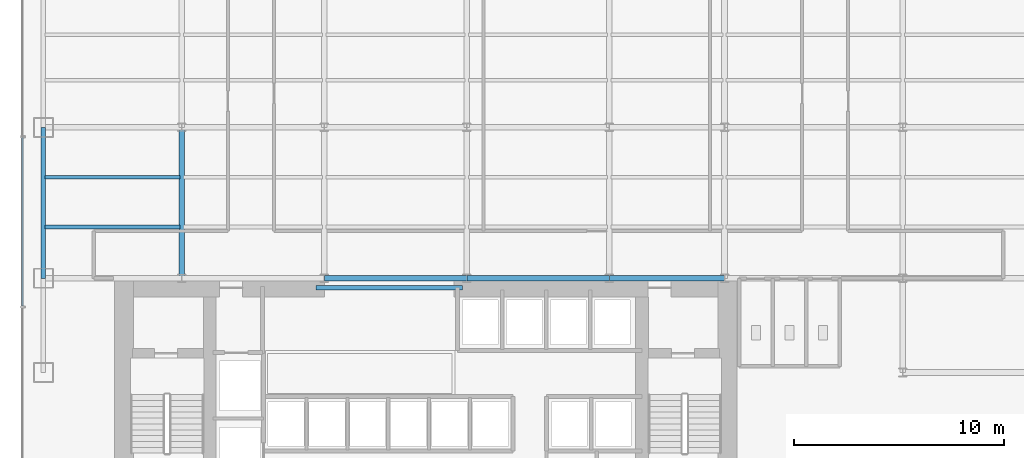
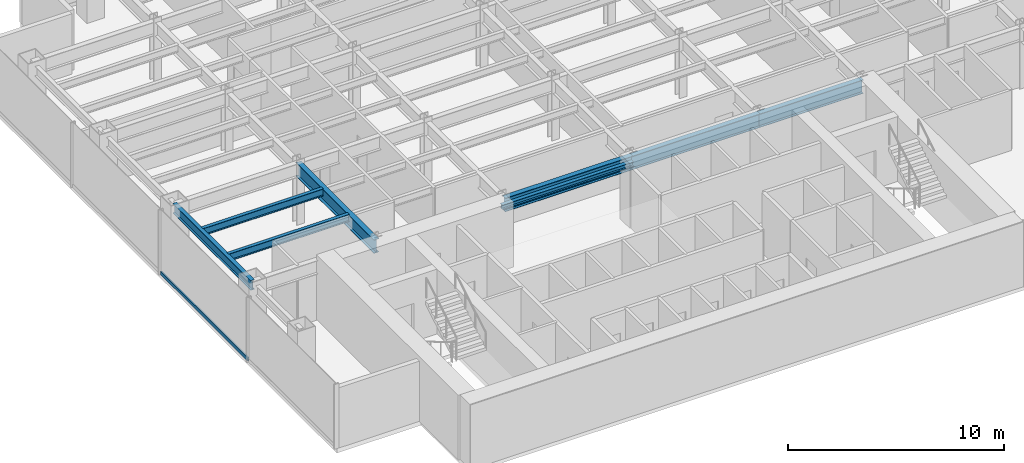
# One storey, part 3 of 22: 8 beams, 1 member, 1 element without a shape of its own.
"""IFC4 building model written with IfcOpenShell, lengths in metres."""

from ifc_helpers import new_model, si_unit, derived_unit, direction, frame, origin, origin_2d, place, context, subcontext, project, spatial, hollow_rectangle, i_section, extrude, source, transform, mapped, material, material_profile, profile_set, type_object, element, aggregate, save


model = new_model("IFC4")

# Units and contexts
model_context = context("Model", 3, precision=1e-05, world=origin(), true_north=direction((0.0, 1.0)))
body_context = subcontext(model_context, "Body", "Model", "MODEL_VIEW")
ifc_project = project(units=[si_unit("LENGTHUNIT", "METRE"), si_unit("AREAUNIT", "SQUARE_METRE"), si_unit("VOLUMEUNIT", "CUBIC_METRE"), si_unit("PLANEANGLEUNIT", "RADIAN"), si_unit("MASSUNIT", "GRAM", prefix="KILO"), derived_unit("THERMALTRANSMITTANCEUNIT", [(si_unit("POWERUNIT", "WATT"), 1), (si_unit("LENGTHUNIT", "METRE"), -2), (si_unit("THERMODYNAMICTEMPERATUREUNIT", "KELVIN"), -1)])], contexts=[model_context])

# Site, building, storey
site_placement = place(None, origin())
site = spatial("IfcSite", under=ifc_project, at=site_placement, CompositionType="ELEMENT")
building_placement = place(site_placement, origin())
building = spatial("IfcBuilding", under=site, at=building_placement, Name="Skarnbrae Concourse Arena and Tower", CompositionType="ELEMENT")
storey_placement = place(building_placement, frame((0.0, 0.0, 36.14990234375)))
storey = spatial("IfcBuildingStorey", under=building, at=storey_placement, Name="L07", CompositionType="ELEMENT", Elevation=36.14990234375)

# Beams
ifc_material_1 = material(Name="Steel CSA G40.21 350W", Category="steel")
ifc_material_profile_1 = material_profile(ifc_material_1, i_section(OverallWidth=0.202880859375, OverallDepth=0.251953125, WebThickness=0.008056640625, FlangeThickness=0.013427734375, at=origin_2d()), Name="W250X58")
ifc_profile_set_1 = profile_set([ifc_material_profile_1], Name="Steel CSA G40.21 350W")
beam_type_1 = type_object("IfcBeamType", Name="BM-LINTEL-W250X58", PredefinedType="LINTEL", material=ifc_profile_set_1)
shared_shape_1 = source(origin(), body_context, "Body", "SweptSolid", [
    extrude(i_section(OverallWidth=0.202880859375, OverallDepth=0.251953125, WebThickness=0.008056640625, FlangeThickness=0.013427734375, at=origin_2d()), origin(), (0.0, 0.0, 1.0), 7.0),
])
beam_1_placement = place(storey_placement, frame((14.0, 13.550048828125, 3.274169921875), z_axis=(1.0, 0.0, 0.0), x_axis=(0.0, 1.0, 0.0)))
element("IfcBeam", 1, at=beam_1_placement, inside=storey, type_object=beam_type_1, Name="L07 Core portal coupling lintel", PredefinedType="LINTEL", context=body_context, shape_type="MappedRepresentation", body=[
    mapped(shared_shape_1, transform((0.0, 0.0, 0.0))),
])
ifc_material_profile_2 = material_profile(ifc_material_1, i_section(OverallWidth=0.26806640625, OverallDepth=0.77001953125, WebThickness=0.015625, FlangeThickness=0.025390625, at=origin_2d()), Name="W760X196")
ifc_profile_set_2 = profile_set([ifc_material_profile_2], Name="Steel CSA G40.21 350W")
beam_type_2 = type_object("IfcBeamType", Name="BM-GIRD-W760X196", PredefinedType="BEAM", material=ifc_profile_set_2)
shared_shape_2 = source(origin(), body_context, "Body", "SweptSolid", [
    extrude(i_section(OverallWidth=0.26806640625, OverallDepth=0.77001953125, WebThickness=0.015625, FlangeThickness=0.025390625, at=origin_2d()), origin(), (0.0, 0.0, 1.0), 6.800048828125),
])
for number, where, z_axis, x_axis, name in (
    (2, (14.39990234375, 14.0, 3.01513671875), (1.0, 0.0, 0.0), (0.0, 1.0, 0.0), "L07 Primary E-W girder Y14.0-3"),
    (3, (21.199951171875, 14.0, 3.01513671875), (1.0, 0.0, 0.0), (0.0, 1.0, 0.0), "L07 Primary E-W girder Y14.0-4"),
):
    element("IfcBeam", number, at=place(storey_placement, frame(where, z_axis=z_axis, x_axis=x_axis)), inside=storey, type_object=beam_type_2, Name=name, PredefinedType="BEAM", context=body_context, shape_type="MappedRepresentation", body=[
        mapped(shared_shape_2, transform((0.0, 0.0, 0.0))),
    ])
shared_shape_3 = source(origin(), body_context, "Body", "SweptSolid", [
    extrude(i_section(OverallWidth=0.26806640625, OverallDepth=0.77001953125, WebThickness=0.015625, FlangeThickness=0.025390625, at=origin_2d()), origin(), (0.0, 0.0, 1.0), 5.5),
])
beam_2_placement = place(storey_placement, frame((28.0, 14.0, 3.01513671875), z_axis=(1.0, 0.0, 0.0), x_axis=(0.0, 1.0, 0.0)))
element("IfcBeam", 4, at=beam_2_placement, inside=storey, type_object=beam_type_2, Name="L07 Primary E-W girder Y14.0-5", PredefinedType="BEAM", context=body_context, shape_type="MappedRepresentation", body=[
    mapped(shared_shape_3, transform((0.0, 0.0, 0.0))),
])
ifc_material_profile_3 = material_profile(ifc_material_1, i_section(OverallWidth=0.214111328125, OverallDepth=0.549072265625, WebThickness=0.0146484375, FlangeThickness=0.023681640625, at=origin_2d()), Name="W530X138")
ifc_profile_set_3 = profile_set([ifc_material_profile_3], Name="Steel CSA G40.21 350W")
beam_type_3 = type_object("IfcBeamType", Name="BM-SPAN-W530X138", PredefinedType="SPANDREL", material=ifc_profile_set_3)
shared_shape_4 = source(origin(), body_context, "Body", "SweptSolid", [
    extrude(i_section(OverallWidth=0.214111328125, OverallDepth=0.549072265625, WebThickness=0.0146484375, FlangeThickness=0.023681640625, at=origin_2d()), origin(), (0.0, 0.0, 1.0), 7.199951171875),
])
beam_3_placement = place(storey_placement, frame((1.0, 14.0, 3.12548828125), z_axis=(0.0, 1.0, 0.0), x_axis=(-1.0, 0.0, 0.0)))
element("IfcBeam", 5, at=beam_3_placement, inside=storey, type_object=beam_type_3, Name="L07 Perimeter spandrel X1.0-2", PredefinedType="SPANDREL", context=body_context, shape_type="MappedRepresentation", body=[
    mapped(shared_shape_4, transform((0.0, 0.0, 0.0))),
])
shared_shape_5 = source(origin(), body_context, "Body", "SweptSolid", [
    extrude(i_section(OverallWidth=0.26806640625, OverallDepth=0.77001953125, WebThickness=0.015625, FlangeThickness=0.025390625, at=origin_2d()), origin(), (0.0, 0.0, 1.0), 7.199951171875),
])
beam_4_placement = place(storey_placement, frame((7.60009765625, 14.0, 3.01513671875), z_axis=(0.0, 1.0, 0.0), x_axis=(-1.0, 0.0, 0.0)))
element("IfcBeam", 6, at=beam_4_placement, inside=storey, type_object=beam_type_2, Name="L07 Primary N-S girder X7.6-1", PredefinedType="BEAM", context=body_context, shape_type="MappedRepresentation", body=[
    mapped(shared_shape_5, transform((0.0, 0.0, 0.0))),
])
ifc_material_profile_4 = material_profile(ifc_material_1, i_section(OverallWidth=0.180908203125, OverallDepth=0.4169921875, WebThickness=0.010986328125, FlangeThickness=0.018310546875, at=origin_2d()), Name="W410X85")
ifc_profile_set_4 = profile_set([ifc_material_profile_4], Name="Steel CSA G40.21 350W")
beam_type_4 = type_object("IfcBeamType", Name="BM-JOIST-W410X85", PredefinedType="JOIST", material=ifc_profile_set_4)
shared_shape_6 = source(origin(), body_context, "Body", "SweptSolid", [
    extrude(i_section(OverallWidth=0.180908203125, OverallDepth=0.4169921875, WebThickness=0.010986328125, FlangeThickness=0.018310546875, at=origin_2d()), origin(), (0.0, 0.0, 1.0), 6.43994140625),
])
for number, where, z_axis, x_axis, name in (
    (7, (1.080078125, 16.447998046875, 3.191650390625), (1.0, 0.0, 0.0), (0.0, 1.0, 0.0), "L07 Secondary floor joist 1.1.1"),
    (8, (1.080078125, 18.823974609375, 3.191650390625), (1.0, 0.0, 0.0), (0.0, 1.0, 0.0), "L07 Secondary floor joist 1.2.1"),
):
    element("IfcBeam", number, at=place(storey_placement, frame(where, z_axis=z_axis, x_axis=x_axis)), inside=storey, type_object=beam_type_4, Name=name, PredefinedType="JOIST", context=body_context, shape_type="MappedRepresentation", body=[
        mapped(shared_shape_6, transform((0.0, 0.0, 0.0))),
    ])

# Curtain wall, member
ifc_material_2 = material(Name="Bronze anodised aluminium 6063-T6", Category="aluminium")
curtain_wall_type = type_object("IfcCurtainWallType", Name="CW-SYS-02-LOWZONE", PredefinedType="USERDEFINED", material=ifc_material_2)
curtain_wall_placement = place(storey_placement, origin())
curtain_wall = element("IfcCurtainWall", 9, at=curtain_wall_placement, inside=storey, type_object=curtain_wall_type, Name="L07 Unitised curtain wall CW-L07-E19", ObjectType="UNITISED CURTAIN WALL", PredefinedType="USERDEFINED")
ifc_material_profile_5 = material_profile(ifc_material_2, hollow_rectangle(XDim=0.080078125, YDim=0.18994140625, WallThickness=0.0048828125, at=origin_2d()), Name="ALU-TRAN-80X190")
ifc_profile_set_5 = profile_set([ifc_material_profile_5], Name="Bronze anodised aluminium 6063-T6")
member_type = type_object("IfcMemberType", Name="CWT-CW-02", PredefinedType="USERDEFINED", material=ifc_profile_set_5)
shared_shape_7 = source(origin(), body_context, "Body", "SweptSolid", [
    extrude(hollow_rectangle(XDim=0.080078125, YDim=0.18994140625, WallThickness=0.0048828125, at=origin_2d()), origin(), (0.0, 0.0, 1.0), 8.044921875),
])
member_placement = place(storey_placement, frame((0.0, 20.7099609375, 0.09521484375), z_axis=(0.0, -1.0, 0.0), x_axis=(1.0, 0.0, 0.0)))
member = element("IfcMember", 10, at=member_placement, type_object=member_type, Name="CW-L07-E19 Transom 3", ObjectType="TRANSOM", PredefinedType="USERDEFINED", context=body_context, shape_type="MappedRepresentation", body=[
    mapped(shared_shape_7, transform((0.0, 0.0, 0.0))),
])
aggregate(curtain_wall, [member])

save(model, "model.ifc")
